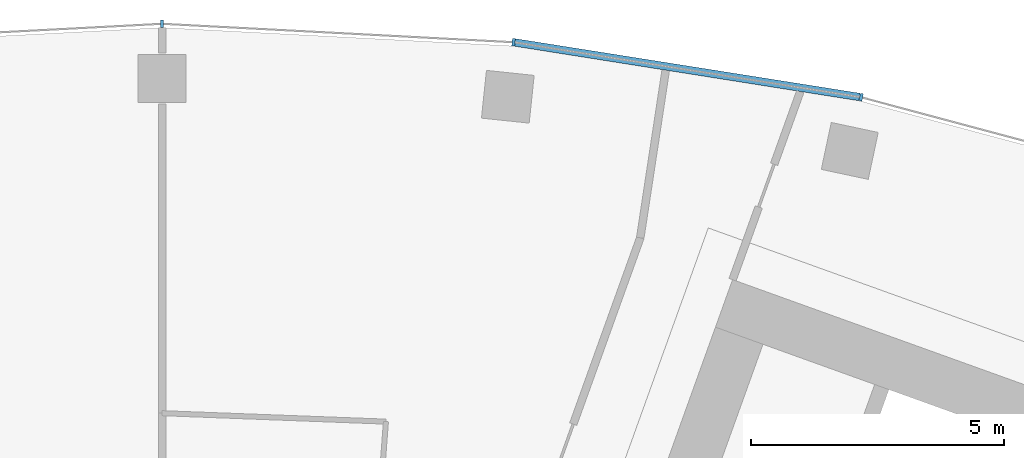
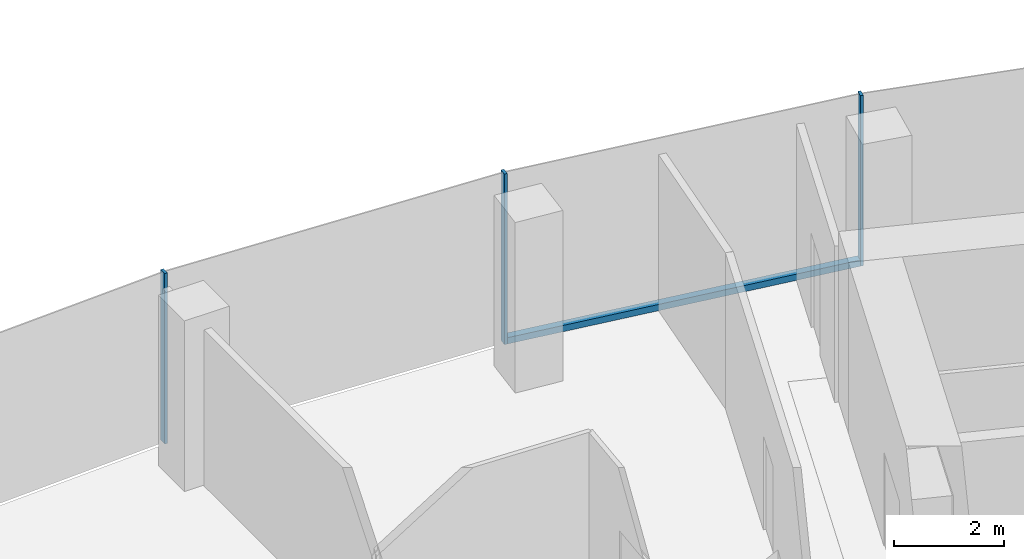
# One storey, part 6 of 18: 4 members, 1 element without a shape of its own.
"""IFC4 building model written with IfcOpenShell, lengths in metres."""

from ifc_helpers import new_model, si_unit, direction, frame, origin, origin_2d, place, context, subcontext, project, spatial, rectangle, extrude, material, layer, layer_set, material_profile, profile_set, type_object, element, aggregate, save


model = new_model("IFC4")

# Units and contexts
model_context = context("Model", 3, precision=1e-05, world=origin(), true_north=direction((0.0, 1.0)))
body_context = subcontext(model_context, "Body", "Model", "MODEL_VIEW")
ifc_project = project(units=[si_unit("LENGTHUNIT", "METRE"), si_unit("AREAUNIT", "SQUARE_METRE"), si_unit("VOLUMEUNIT", "CUBIC_METRE"), si_unit("PLANEANGLEUNIT", "RADIAN"), si_unit("MASSUNIT", "GRAM", prefix="KILO")], contexts=[model_context])

# Site, building, storey
site_placement = place(None, origin())
site = spatial("IfcSite", under=ifc_project, at=site_placement, CompositionType="ELEMENT")
building_placement = place(site_placement, origin())
building = spatial("IfcBuilding", under=site, at=building_placement, Name="Stone Belt Terrace Tower", CompositionType="ELEMENT")
storey_placement = place(building_placement, frame((0.0, 0.0, 220.0)))
storey = spatial("IfcBuildingStorey", under=building, at=storey_placement, Name="L53", CompositionType="ELEMENT", Elevation=220.0)

# Curtain wall, members
ifc_material = material(Name="Aluminium 6063-T6 anodised frame", Category="aluminium")
ifc_layer = layer(ifc_material, 0.14990234375)
ifc_layer_set = layer_set([ifc_layer], Name="CW-A unitised convex-face curtain wall")
curtain_wall_type = type_object("IfcCurtainWallType", Name="CW-A unitised convex-face curtain wall", PredefinedType="NOTDEFINED", material=ifc_layer_set)
curtain_wall_placement = place(storey_placement, origin())
curtain_wall = element("IfcCurtainWall", 1, at=curtain_wall_placement, inside=storey, type_object=curtain_wall_type, Name="CW-A convex face L53", PredefinedType="NOTDEFINED")
ifc_material_profile_1 = material_profile(ifc_material, rectangle(XDim=0.14990234375, YDim=0.06005859375, at=origin_2d()), Name="Aluminium 6063-T6 60x150")
ifc_profile_set_1 = profile_set([ifc_material_profile_1], Name="Aluminium 6063-T6 anodised frame")
member_type_1 = type_object("IfcMemberType", Name="CW-A mullion 60 x 150", PredefinedType="MULLION", material=ifc_profile_set_1)
member_1_placement = place(storey_placement, frame((13.841796875, 65.120361328125, 0.0), z_axis=(0.0, 0.0, 1.0), x_axis=(-0.207911690818, -0.978147600734, 0.0)))
member_1 = element("IfcMember", 2, at=member_1_placement, type_object=member_type_1, Name="CW-A mullion 7", PredefinedType="MULLION", context=body_context, shape_type="SweptSolid", body=[
    extrude(rectangle(XDim=0.14990234375, YDim=0.06005859375, at=origin_2d()), origin(), (0.0, 0.0, 1.0), 3.800048828125),
])
member_2_placement = place(storey_placement, frame((6.958984375, 66.21044921875, 0.0), z_axis=(0.0, 0.0, 1.0), x_axis=(-0.104528463268, -0.994521895368, 0.0)))
member_2 = element("IfcMember", 3, at=member_2_placement, type_object=member_type_1, Name="CW-A mullion 8", PredefinedType="MULLION", context=body_context, shape_type="SweptSolid", body=[
    extrude(rectangle(XDim=0.14990234375, YDim=0.06005859375, at=origin_2d()), origin(), (0.0, 0.0, 1.0), 3.800048828125),
])
member_3_placement = place(storey_placement, frame((0.0, 66.5751953125, 0.0), z_axis=(0.0, 0.0, 1.0), x_axis=(0.0, -1.0, 0.0)))
member_3 = element("IfcMember", 4, at=member_3_placement, type_object=member_type_1, Name="CW-A mullion 9", PredefinedType="MULLION", context=body_context, shape_type="SweptSolid", body=[
    extrude(rectangle(XDim=0.14990234375, YDim=0.06005859375, at=origin_2d()), origin(), (0.0, 0.0, 1.0), 3.800048828125),
])
ifc_material_profile_2 = material_profile(ifc_material, rectangle(XDim=0.14990234375, YDim=0.139892578125, at=origin_2d()), Name="Aluminium 6063-T6 150x140")
ifc_profile_set_2 = profile_set([ifc_material_profile_2], Name="Aluminium 6063-T6 anodised frame")
member_type_2 = type_object("IfcMemberType", Name="CW-A transom 140 x 150", PredefinedType="USERDEFINED", material=ifc_profile_set_2)
member_4_placement = place(storey_placement, frame((13.808349609375, 65.12548828125, 0.070068359375), z_axis=(-0.987687120531, 0.156442168027, 0.0), x_axis=(-0.156442168027, -0.987687120531, 0.0)))
member_4 = element("IfcMember", 5, at=member_4_placement, type_object=member_type_2, Name="CW-A transom 7.1", ObjectType="TRANSOM", PredefinedType="USERDEFINED", context=body_context, shape_type="SweptSolid", body=[
    extrude(rectangle(XDim=0.14990234375, YDim=0.139892578125, at=origin_2d()), origin(), (0.0, 0.0, 1.0), 6.90087890625),
])
aggregate(curtain_wall, [member_1, member_2, member_3, member_4])

save(model, "model.ifc")
